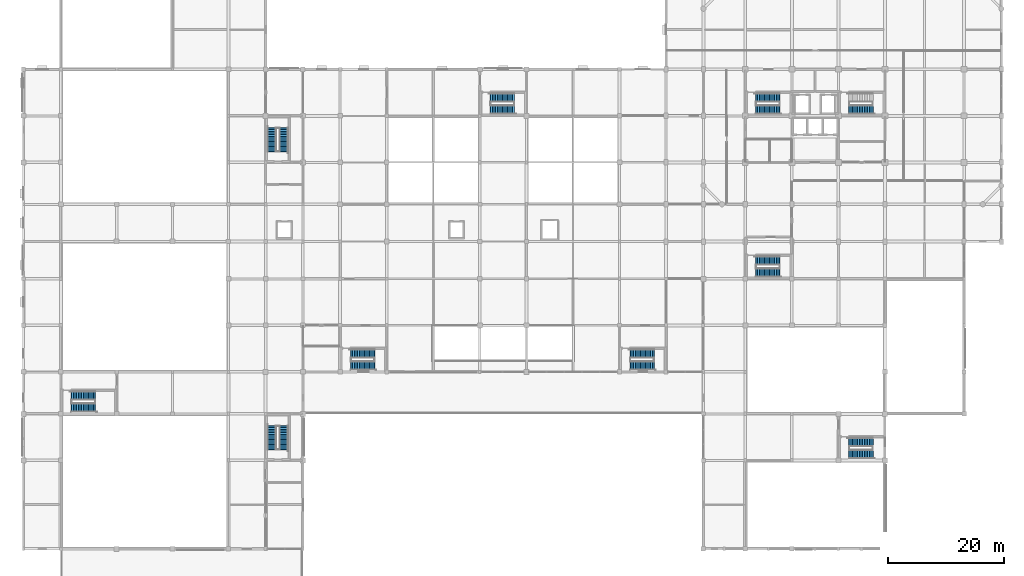
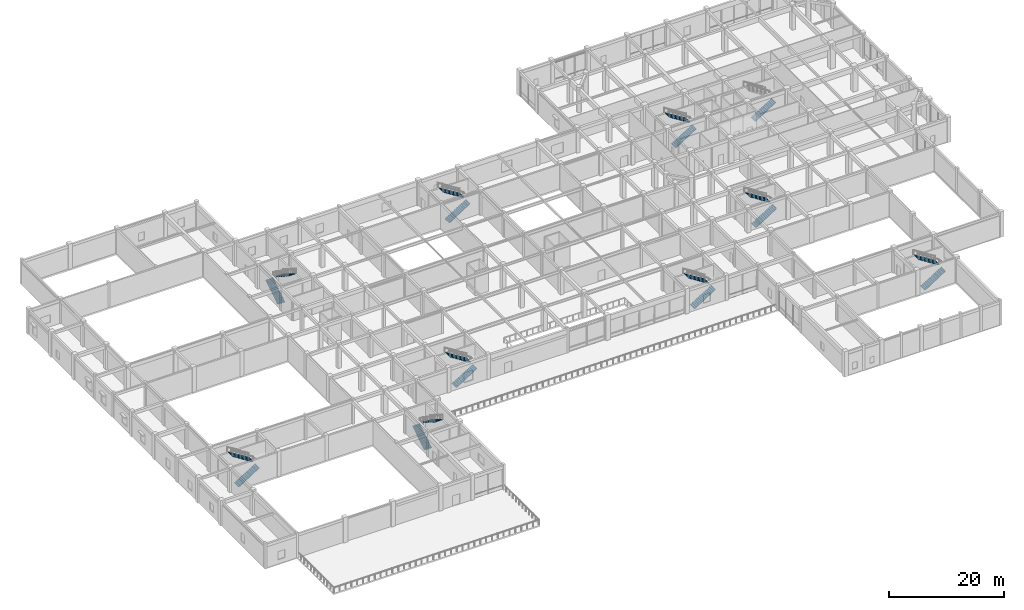
# One storey, part 31 of 36: 19 stair flights, 10 elements without a shape of their own.
"""IFC4 building model written with IfcOpenShell, lengths in metres."""

from ifc_helpers import new_model, si_unit, direction, frame, origin, place, context, subcontext, project, spatial, polyline, outline, extrude, material, type_object, element, aggregate, save


model = new_model("IFC4")

# Units and contexts
model_context = context("Model", 3, precision=1e-05, world=origin(), true_north=direction((0.0, 1.0)))
body_context = subcontext(model_context, "Body", "Model", "MODEL_VIEW")
ifc_project = project(units=[si_unit("LENGTHUNIT", "METRE"), si_unit("AREAUNIT", "SQUARE_METRE"), si_unit("VOLUMEUNIT", "CUBIC_METRE"), si_unit("PLANEANGLEUNIT", "RADIAN"), si_unit("MASSUNIT", "GRAM", prefix="KILO")], contexts=[model_context])

# Site, building, storey
site_placement = place(None, origin())
site = spatial("IfcSite", under=ifc_project, at=site_placement, CompositionType="ELEMENT")
building_placement = place(site_placement, origin())
building = spatial("IfcBuilding", under=site, at=building_placement, Name="Vellmiral Cinema and Media Centre", CompositionType="ELEMENT")
storey_placement = place(building_placement, frame((0.0, 0.0, 5.39990234375)))
storey = spatial("IfcBuildingStorey", under=building, at=storey_placement, Name="L01", CompositionType="ELEMENT", Elevation=5.39990234375)

# Stair, stair flights
ifc_material_1 = material(Name="Concrete C40/50", Category="concrete")
stair_type = type_object("IfcStairType", Name="ST-2RET-540", PredefinedType="HALF_TURN_STAIR", material=ifc_material_1)
stair_1_placement = place(storey_placement, origin())
stair_1 = element("IfcStair", 1, at=stair_1_placement, inside=storey, type_object=stair_type, Name="Protected Escape Stair ST-P1 (L01)", PredefinedType="HALF_TURN_STAIR")
ifc_material_2 = material(Name="Concrete C40/50", Category="concrete")
stair_flight_type = type_object("IfcStairFlightType", Name="STF-STR-540", PredefinedType="STRAIGHT", material=ifc_material_2)
stair_flight_1_placement = place(storey_placement, frame((42.64990234375, 29.85009765625, 0.0), z_axis=(0.0, 0.0, 1.0), x_axis=(0.0, 1.0, 0.0)))
stair_flight_1 = element("IfcStairFlight", 2, at=stair_flight_1_placement, type_object=stair_flight_type, Name="ST-P1 flight 1", NumberOfRisers=15, NumberOfTreads=14, PredefinedType="STRAIGHT", RiserHeight=0.18, TreadLength=0.29, context=body_context, shape_type="SweptSolid", body=[
    extrude(outline(polyline([(-0.080078125, 0.0), (-0.080078125, 0.10009765625), (0.0, 0.179931640625), (0.2900390625, 0.179931640625), (0.2900390625, 0.360107421875), (0.580078125, 0.360107421875), (0.580078125, 0.5400390625), (0.8701171875, 0.5400390625), (0.8701171875, 0.719970703125), (1.159912109375, 0.719970703125), (1.159912109375, 0.89990234375), (1.449951171875, 0.89990234375), (1.449951171875, 1.080078125), (1.739990234375, 1.080078125), (1.739990234375, 1.260009765625), (2.030029296875, 1.260009765625), (2.030029296875, 1.43994140625), (2.320068359375, 1.43994140625), (2.320068359375, 1.6201171875), (2.610107421875, 1.6201171875), (2.610107421875, 1.800048828125), (2.89990234375, 1.800048828125), (2.89990234375, 1.97998046875), (3.18994140625, 1.97998046875), (3.18994140625, 2.159912109375), (3.47998046875, 2.159912109375), (3.47998046875, 2.340087890625), (3.77001953125, 2.340087890625), (3.77001953125, 2.52001953125), (4.06005859375, 2.52001953125), (4.06005859375, 2.699951171875), (4.14013671875, 2.699951171875), (4.14013671875, 2.5400390625), (0.179931640625, 0.0), (-0.080078125, 0.0)])), frame((0.0, 0.75, 0.0), z_axis=(0.0, -1.0, 0.0), x_axis=(1.0, 0.0, 0.0)), (0.0, 0.0, 1.0), 1.5),
])
stair_flight_2_placement = place(storey_placement, frame((44.75, 33.909912109375, 2.7001953125), z_axis=(0.0, 0.0, 1.0), x_axis=(0.0, -1.0, 0.0)))
stair_flight_2 = element("IfcStairFlight", 3, at=stair_flight_2_placement, type_object=stair_flight_type, Name="ST-P1 flight 2", NumberOfRisers=15, NumberOfTreads=14, PredefinedType="STRAIGHT", RiserHeight=0.18, TreadLength=0.29, context=body_context, shape_type="SweptSolid", body=[
    extrude(outline(polyline([(-0.080078125, 0.0), (-0.080078125, 0.10009765625), (0.0, 0.179931640625), (0.2900390625, 0.179931640625), (0.2900390625, 0.360107421875), (0.580078125, 0.360107421875), (0.580078125, 0.5400390625), (0.8701171875, 0.5400390625), (0.8701171875, 0.719970703125), (1.159912109375, 0.719970703125), (1.159912109375, 0.89990234375), (1.449951171875, 0.89990234375), (1.449951171875, 1.080078125), (1.739990234375, 1.080078125), (1.739990234375, 1.260009765625), (2.030029296875, 1.260009765625), (2.030029296875, 1.43994140625), (2.320068359375, 1.43994140625), (2.320068359375, 1.6201171875), (2.610107421875, 1.6201171875), (2.610107421875, 1.800048828125), (2.89990234375, 1.800048828125), (2.89990234375, 1.97998046875), (3.18994140625, 1.97998046875), (3.18994140625, 2.159912109375), (3.47998046875, 2.159912109375), (3.47998046875, 2.340087890625), (3.77001953125, 2.340087890625), (3.77001953125, 2.52001953125), (4.06005859375, 2.52001953125), (4.06005859375, 2.699951171875), (4.14013671875, 2.699951171875), (4.14013671875, 2.5400390625), (0.179931640625, 0.0), (-0.080078125, 0.0)])), frame((0.0, 0.75, 0.0), z_axis=(0.0, -1.0, 0.0), x_axis=(1.0, 0.0, 0.0)), (0.0, 0.0, 1.0), 1.5),
])
aggregate(stair_1, [stair_flight_1, stair_flight_2])

stair_2_placement = place(storey_placement, origin())
stair_2 = element("IfcStair", 4, at=stair_2_placement, inside=storey, type_object=stair_type, Name="Protected Escape Stair ST-P2 (L01)", PredefinedType="HALF_TURN_STAIR")
stair_flight_3_placement = place(storey_placement, frame((42.64990234375, 81.050048828125, 0.0), z_axis=(0.0, 0.0, 1.0), x_axis=(0.0, 1.0, 0.0)))
stair_flight_3 = element("IfcStairFlight", 5, at=stair_flight_3_placement, type_object=stair_flight_type, Name="ST-P2 flight 1", NumberOfRisers=15, NumberOfTreads=14, PredefinedType="STRAIGHT", RiserHeight=0.18, TreadLength=0.29, context=body_context, shape_type="SweptSolid", body=[
    extrude(outline(polyline([(-0.080078125, 0.0), (-0.080078125, 0.10009765625), (0.0, 0.179931640625), (0.2900390625, 0.179931640625), (0.2900390625, 0.360107421875), (0.580078125, 0.360107421875), (0.580078125, 0.5400390625), (0.8701171875, 0.5400390625), (0.8701171875, 0.719970703125), (1.159912109375, 0.719970703125), (1.159912109375, 0.89990234375), (1.449951171875, 0.89990234375), (1.449951171875, 1.080078125), (1.739990234375, 1.080078125), (1.739990234375, 1.260009765625), (2.030029296875, 1.260009765625), (2.030029296875, 1.43994140625), (2.320068359375, 1.43994140625), (2.320068359375, 1.6201171875), (2.610107421875, 1.6201171875), (2.610107421875, 1.800048828125), (2.89990234375, 1.800048828125), (2.89990234375, 1.97998046875), (3.18994140625, 1.97998046875), (3.18994140625, 2.159912109375), (3.47998046875, 2.159912109375), (3.47998046875, 2.340087890625), (3.77001953125, 2.340087890625), (3.77001953125, 2.52001953125), (4.06005859375, 2.52001953125), (4.06005859375, 2.699951171875), (4.14013671875, 2.699951171875), (4.14013671875, 2.5400390625), (0.179931640625, 0.0), (-0.080078125, 0.0)])), frame((0.0, 0.75, 0.0), z_axis=(0.0, -1.0, 0.0), x_axis=(1.0, 0.0, 0.0)), (0.0, 0.0, 1.0), 1.5),
])
stair_flight_4_placement = place(storey_placement, frame((44.75, 85.110107421875, 2.7001953125), z_axis=(0.0, 0.0, 1.0), x_axis=(0.0, -1.0, 0.0)))
stair_flight_4 = element("IfcStairFlight", 6, at=stair_flight_4_placement, type_object=stair_flight_type, Name="ST-P2 flight 2", NumberOfRisers=15, NumberOfTreads=14, PredefinedType="STRAIGHT", RiserHeight=0.18, TreadLength=0.29, context=body_context, shape_type="SweptSolid", body=[
    extrude(outline(polyline([(-0.080078125, 0.0), (-0.080078125, 0.10009765625), (0.0, 0.179931640625), (0.2900390625, 0.179931640625), (0.2900390625, 0.360107421875), (0.580078125, 0.360107421875), (0.580078125, 0.5400390625), (0.8701171875, 0.5400390625), (0.8701171875, 0.719970703125), (1.159912109375, 0.719970703125), (1.159912109375, 0.89990234375), (1.449951171875, 0.89990234375), (1.449951171875, 1.080078125), (1.739990234375, 1.080078125), (1.739990234375, 1.260009765625), (2.030029296875, 1.260009765625), (2.030029296875, 1.43994140625), (2.320068359375, 1.43994140625), (2.320068359375, 1.6201171875), (2.610107421875, 1.6201171875), (2.610107421875, 1.800048828125), (2.89990234375, 1.800048828125), (2.89990234375, 1.97998046875), (3.18994140625, 1.97998046875), (3.18994140625, 2.159912109375), (3.47998046875, 2.159912109375), (3.47998046875, 2.340087890625), (3.77001953125, 2.340087890625), (3.77001953125, 2.52001953125), (4.06005859375, 2.52001953125), (4.06005859375, 2.699951171875), (4.14013671875, 2.699951171875), (4.14013671875, 2.5400390625), (0.179931640625, 0.0), (-0.080078125, 0.0)])), frame((0.0, 0.75, 0.0), z_axis=(0.0, -1.0, 0.0), x_axis=(1.0, 0.0, 0.0)), (0.0, 0.0, 1.0), 1.5),
])
aggregate(stair_2, [stair_flight_3, stair_flight_4])

stair_3_placement = place(storey_placement, origin())
stair_3 = element("IfcStair", 7, at=stair_3_placement, inside=storey, type_object=stair_type, Name="Protected Escape Stair ST-P3 (L01)", PredefinedType="HALF_TURN_STAIR")
stair_flight_5_placement = place(storey_placement, frame((56.25, 44.25, 0.0), z_axis=(0.0, 0.0, 1.0), x_axis=(1.0, 0.0, 0.0)))
stair_flight_5 = element("IfcStairFlight", 8, at=stair_flight_5_placement, type_object=stair_flight_type, Name="ST-P3 flight 1", NumberOfRisers=15, NumberOfTreads=14, PredefinedType="STRAIGHT", RiserHeight=0.18, TreadLength=0.29, context=body_context, shape_type="SweptSolid", body=[
    extrude(outline(polyline([(-0.080078125, 0.0), (-0.080078125, 0.10009765625), (0.0, 0.179931640625), (0.2900390625, 0.179931640625), (0.2900390625, 0.360107421875), (0.580078125, 0.360107421875), (0.580078125, 0.5400390625), (0.8701171875, 0.5400390625), (0.8701171875, 0.719970703125), (1.159912109375, 0.719970703125), (1.159912109375, 0.89990234375), (1.449951171875, 0.89990234375), (1.449951171875, 1.080078125), (1.739990234375, 1.080078125), (1.739990234375, 1.260009765625), (2.030029296875, 1.260009765625), (2.030029296875, 1.43994140625), (2.320068359375, 1.43994140625), (2.320068359375, 1.6201171875), (2.610107421875, 1.6201171875), (2.610107421875, 1.800048828125), (2.89990234375, 1.800048828125), (2.89990234375, 1.97998046875), (3.18994140625, 1.97998046875), (3.18994140625, 2.159912109375), (3.47998046875, 2.159912109375), (3.47998046875, 2.340087890625), (3.77001953125, 2.340087890625), (3.77001953125, 2.52001953125), (4.06005859375, 2.52001953125), (4.06005859375, 2.699951171875), (4.14013671875, 2.699951171875), (4.14013671875, 2.5400390625), (0.179931640625, 0.0), (-0.080078125, 0.0)])), frame((0.0, 0.75, 0.0), z_axis=(0.0, -1.0, 0.0), x_axis=(1.0, 0.0, 0.0)), (0.0, 0.0, 1.0), 1.5),
])
stair_flight_6_placement = place(storey_placement, frame((60.31005859375, 46.35009765625, 2.7001953125), z_axis=(0.0, 0.0, 1.0), x_axis=(-1.0, 0.0, 0.0)))
stair_flight_6 = element("IfcStairFlight", 9, at=stair_flight_6_placement, type_object=stair_flight_type, Name="ST-P3 flight 2", NumberOfRisers=15, NumberOfTreads=14, PredefinedType="STRAIGHT", RiserHeight=0.18, TreadLength=0.29, context=body_context, shape_type="SweptSolid", body=[
    extrude(outline(polyline([(-0.080078125, 0.0), (-0.080078125, 0.10009765625), (0.0, 0.179931640625), (0.2900390625, 0.179931640625), (0.2900390625, 0.360107421875), (0.580078125, 0.360107421875), (0.580078125, 0.5400390625), (0.8701171875, 0.5400390625), (0.8701171875, 0.719970703125), (1.159912109375, 0.719970703125), (1.159912109375, 0.89990234375), (1.449951171875, 0.89990234375), (1.449951171875, 1.080078125), (1.739990234375, 1.080078125), (1.739990234375, 1.260009765625), (2.030029296875, 1.260009765625), (2.030029296875, 1.43994140625), (2.320068359375, 1.43994140625), (2.320068359375, 1.6201171875), (2.610107421875, 1.6201171875), (2.610107421875, 1.800048828125), (2.89990234375, 1.800048828125), (2.89990234375, 1.97998046875), (3.18994140625, 1.97998046875), (3.18994140625, 2.159912109375), (3.47998046875, 2.159912109375), (3.47998046875, 2.340087890625), (3.77001953125, 2.340087890625), (3.77001953125, 2.52001953125), (4.06005859375, 2.52001953125), (4.06005859375, 2.699951171875), (4.14013671875, 2.699951171875), (4.14013671875, 2.5400390625), (0.179931640625, 0.0), (-0.080078125, 0.0)])), frame((0.0, 0.75, 0.0), z_axis=(0.0, -1.0, 0.0), x_axis=(1.0, 0.0, 0.0)), (0.0, 0.0, 1.0), 1.5),
])
aggregate(stair_3, [stair_flight_5, stair_flight_6])

stair_4_placement = place(storey_placement, origin())
stair_4 = element("IfcStair", 10, at=stair_4_placement, inside=storey, type_object=stair_type, Name="Protected Escape Stair ST-P4 (L01)", PredefinedType="HALF_TURN_STAIR")
stair_flight_7_placement = place(storey_placement, frame((104.25, 44.25, 0.0), z_axis=(0.0, 0.0, 1.0), x_axis=(1.0, 0.0, 0.0)))
stair_flight_7 = element("IfcStairFlight", 11, at=stair_flight_7_placement, type_object=stair_flight_type, Name="ST-P4 flight 1", NumberOfRisers=15, NumberOfTreads=14, PredefinedType="STRAIGHT", RiserHeight=0.18, TreadLength=0.29, context=body_context, shape_type="SweptSolid", body=[
    extrude(outline(polyline([(-0.080078125, 0.0), (-0.080078125, 0.10009765625), (0.0, 0.179931640625), (0.2900390625, 0.179931640625), (0.2900390625, 0.360107421875), (0.580078125, 0.360107421875), (0.580078125, 0.5400390625), (0.8701171875, 0.5400390625), (0.8701171875, 0.719970703125), (1.159912109375, 0.719970703125), (1.159912109375, 0.89990234375), (1.449951171875, 0.89990234375), (1.449951171875, 1.080078125), (1.739990234375, 1.080078125), (1.739990234375, 1.260009765625), (2.030029296875, 1.260009765625), (2.030029296875, 1.43994140625), (2.320068359375, 1.43994140625), (2.320068359375, 1.6201171875), (2.610107421875, 1.6201171875), (2.610107421875, 1.800048828125), (2.89990234375, 1.800048828125), (2.89990234375, 1.97998046875), (3.18994140625, 1.97998046875), (3.18994140625, 2.159912109375), (3.47998046875, 2.159912109375), (3.47998046875, 2.340087890625), (3.77001953125, 2.340087890625), (3.77001953125, 2.52001953125), (4.06005859375, 2.52001953125), (4.06005859375, 2.699951171875), (4.14013671875, 2.699951171875), (4.14013671875, 2.5400390625), (0.179931640625, 0.0), (-0.080078125, 0.0)])), frame((0.0, 0.75, 0.0), z_axis=(0.0, -1.0, 0.0), x_axis=(1.0, 0.0, 0.0)), (0.0, 0.0, 1.0), 1.5),
])
stair_flight_8_placement = place(storey_placement, frame((108.31005859375, 46.35009765625, 2.7001953125), z_axis=(0.0, 0.0, 1.0), x_axis=(-1.0, 0.0, 0.0)))
stair_flight_8 = element("IfcStairFlight", 12, at=stair_flight_8_placement, type_object=stair_flight_type, Name="ST-P4 flight 2", NumberOfRisers=15, NumberOfTreads=14, PredefinedType="STRAIGHT", RiserHeight=0.18, TreadLength=0.29, context=body_context, shape_type="SweptSolid", body=[
    extrude(outline(polyline([(-0.080078125, 0.0), (-0.080078125, 0.10009765625), (0.0, 0.179931640625), (0.2900390625, 0.179931640625), (0.2900390625, 0.360107421875), (0.580078125, 0.360107421875), (0.580078125, 0.5400390625), (0.8701171875, 0.5400390625), (0.8701171875, 0.719970703125), (1.159912109375, 0.719970703125), (1.159912109375, 0.89990234375), (1.449951171875, 0.89990234375), (1.449951171875, 1.080078125), (1.739990234375, 1.080078125), (1.739990234375, 1.260009765625), (2.030029296875, 1.260009765625), (2.030029296875, 1.43994140625), (2.320068359375, 1.43994140625), (2.320068359375, 1.6201171875), (2.610107421875, 1.6201171875), (2.610107421875, 1.800048828125), (2.89990234375, 1.800048828125), (2.89990234375, 1.97998046875), (3.18994140625, 1.97998046875), (3.18994140625, 2.159912109375), (3.47998046875, 2.159912109375), (3.47998046875, 2.340087890625), (3.77001953125, 2.340087890625), (3.77001953125, 2.52001953125), (4.06005859375, 2.52001953125), (4.06005859375, 2.699951171875), (4.14013671875, 2.699951171875), (4.14013671875, 2.5400390625), (0.179931640625, 0.0), (-0.080078125, 0.0)])), frame((0.0, 0.75, 0.0), z_axis=(0.0, -1.0, 0.0), x_axis=(1.0, 0.0, 0.0)), (0.0, 0.0, 1.0), 1.5),
])
aggregate(stair_4, [stair_flight_7, stair_flight_8])

stair_5_placement = place(storey_placement, origin())
stair_5 = element("IfcStair", 13, at=stair_5_placement, inside=storey, type_object=stair_type, Name="Protected Escape Stair ST-P5 (L01)", PredefinedType="HALF_TURN_STAIR")
stair_flight_9_placement = place(storey_placement, frame((80.25, 88.25, 0.0), z_axis=(0.0, 0.0, 1.0), x_axis=(1.0, 0.0, 0.0)))
stair_flight_9 = element("IfcStairFlight", 14, at=stair_flight_9_placement, type_object=stair_flight_type, Name="ST-P5 flight 1", NumberOfRisers=15, NumberOfTreads=14, PredefinedType="STRAIGHT", RiserHeight=0.18, TreadLength=0.29, context=body_context, shape_type="SweptSolid", body=[
    extrude(outline(polyline([(-0.080078125, 0.0), (-0.080078125, 0.10009765625), (0.0, 0.179931640625), (0.2900390625, 0.179931640625), (0.2900390625, 0.360107421875), (0.580078125, 0.360107421875), (0.580078125, 0.5400390625), (0.8701171875, 0.5400390625), (0.8701171875, 0.719970703125), (1.159912109375, 0.719970703125), (1.159912109375, 0.89990234375), (1.449951171875, 0.89990234375), (1.449951171875, 1.080078125), (1.739990234375, 1.080078125), (1.739990234375, 1.260009765625), (2.030029296875, 1.260009765625), (2.030029296875, 1.43994140625), (2.320068359375, 1.43994140625), (2.320068359375, 1.6201171875), (2.610107421875, 1.6201171875), (2.610107421875, 1.800048828125), (2.89990234375, 1.800048828125), (2.89990234375, 1.97998046875), (3.18994140625, 1.97998046875), (3.18994140625, 2.159912109375), (3.47998046875, 2.159912109375), (3.47998046875, 2.340087890625), (3.77001953125, 2.340087890625), (3.77001953125, 2.52001953125), (4.06005859375, 2.52001953125), (4.06005859375, 2.699951171875), (4.14013671875, 2.699951171875), (4.14013671875, 2.5400390625), (0.179931640625, 0.0), (-0.080078125, 0.0)])), frame((0.0, 0.75, 0.0), z_axis=(0.0, -1.0, 0.0), x_axis=(1.0, 0.0, 0.0)), (0.0, 0.0, 1.0), 1.5),
])
stair_flight_10_placement = place(storey_placement, frame((84.31005859375, 90.35009765625, 2.7001953125), z_axis=(0.0, 0.0, 1.0), x_axis=(-1.0, 0.0, 0.0)))
stair_flight_10 = element("IfcStairFlight", 15, at=stair_flight_10_placement, type_object=stair_flight_type, Name="ST-P5 flight 2", NumberOfRisers=15, NumberOfTreads=14, PredefinedType="STRAIGHT", RiserHeight=0.18, TreadLength=0.29, context=body_context, shape_type="SweptSolid", body=[
    extrude(outline(polyline([(-0.080078125, 0.0), (-0.080078125, 0.10009765625), (0.0, 0.179931640625), (0.2900390625, 0.179931640625), (0.2900390625, 0.360107421875), (0.580078125, 0.360107421875), (0.580078125, 0.5400390625), (0.8701171875, 0.5400390625), (0.8701171875, 0.719970703125), (1.159912109375, 0.719970703125), (1.159912109375, 0.89990234375), (1.449951171875, 0.89990234375), (1.449951171875, 1.080078125), (1.739990234375, 1.080078125), (1.739990234375, 1.260009765625), (2.030029296875, 1.260009765625), (2.030029296875, 1.43994140625), (2.320068359375, 1.43994140625), (2.320068359375, 1.6201171875), (2.610107421875, 1.6201171875), (2.610107421875, 1.800048828125), (2.89990234375, 1.800048828125), (2.89990234375, 1.97998046875), (3.18994140625, 1.97998046875), (3.18994140625, 2.159912109375), (3.47998046875, 2.159912109375), (3.47998046875, 2.340087890625), (3.77001953125, 2.340087890625), (3.77001953125, 2.52001953125), (4.06005859375, 2.52001953125), (4.06005859375, 2.699951171875), (4.14013671875, 2.699951171875), (4.14013671875, 2.5400390625), (0.179931640625, 0.0), (-0.080078125, 0.0)])), frame((0.0, 0.75, 0.0), z_axis=(0.0, -1.0, 0.0), x_axis=(1.0, 0.0, 0.0)), (0.0, 0.0, 1.0), 1.5),
])
aggregate(stair_5, [stair_flight_9, stair_flight_10])

stair_6_placement = place(storey_placement, origin())
stair_6 = element("IfcStair", 16, at=stair_6_placement, inside=storey, type_object=stair_type, Name="Protected Escape Stair ST-P6 (L01)", PredefinedType="HALF_TURN_STAIR")
stair_flight_11_placement = place(storey_placement, frame((125.85009765625, 60.25, 0.0), z_axis=(0.0, 0.0, 1.0), x_axis=(1.0, 0.0, 0.0)))
stair_flight_11 = element("IfcStairFlight", 17, at=stair_flight_11_placement, type_object=stair_flight_type, Name="ST-P6 flight 1", NumberOfRisers=15, NumberOfTreads=14, PredefinedType="STRAIGHT", RiserHeight=0.18, TreadLength=0.29, context=body_context, shape_type="SweptSolid", body=[
    extrude(outline(polyline([(-0.080078125, 0.0), (-0.080078125, 0.10009765625), (0.0, 0.179931640625), (0.2900390625, 0.179931640625), (0.2900390625, 0.360107421875), (0.580078125, 0.360107421875), (0.580078125, 0.5400390625), (0.8701171875, 0.5400390625), (0.8701171875, 0.719970703125), (1.159912109375, 0.719970703125), (1.159912109375, 0.89990234375), (1.449951171875, 0.89990234375), (1.449951171875, 1.080078125), (1.739990234375, 1.080078125), (1.739990234375, 1.260009765625), (2.030029296875, 1.260009765625), (2.030029296875, 1.43994140625), (2.320068359375, 1.43994140625), (2.320068359375, 1.6201171875), (2.610107421875, 1.6201171875), (2.610107421875, 1.800048828125), (2.89990234375, 1.800048828125), (2.89990234375, 1.97998046875), (3.18994140625, 1.97998046875), (3.18994140625, 2.159912109375), (3.47998046875, 2.159912109375), (3.47998046875, 2.340087890625), (3.77001953125, 2.340087890625), (3.77001953125, 2.52001953125), (4.06005859375, 2.52001953125), (4.06005859375, 2.699951171875), (4.14013671875, 2.699951171875), (4.14013671875, 2.5400390625), (0.179931640625, 0.0), (-0.080078125, 0.0)])), frame((0.0, 0.75, 0.0), z_axis=(0.0, -1.0, 0.0), x_axis=(1.0, 0.0, 0.0)), (0.0, 0.0, 1.0), 1.5),
])
stair_flight_12_placement = place(storey_placement, frame((129.909912109375, 62.35009765625, 2.7001953125), z_axis=(0.0, 0.0, 1.0), x_axis=(-1.0, 0.0, 0.0)))
stair_flight_12 = element("IfcStairFlight", 18, at=stair_flight_12_placement, type_object=stair_flight_type, Name="ST-P6 flight 2", NumberOfRisers=15, NumberOfTreads=14, PredefinedType="STRAIGHT", RiserHeight=0.18, TreadLength=0.29, context=body_context, shape_type="SweptSolid", body=[
    extrude(outline(polyline([(-0.080078125, 0.0), (-0.080078125, 0.10009765625), (0.0, 0.179931640625), (0.2900390625, 0.179931640625), (0.2900390625, 0.360107421875), (0.580078125, 0.360107421875), (0.580078125, 0.5400390625), (0.8701171875, 0.5400390625), (0.8701171875, 0.719970703125), (1.159912109375, 0.719970703125), (1.159912109375, 0.89990234375), (1.449951171875, 0.89990234375), (1.449951171875, 1.080078125), (1.739990234375, 1.080078125), (1.739990234375, 1.260009765625), (2.030029296875, 1.260009765625), (2.030029296875, 1.43994140625), (2.320068359375, 1.43994140625), (2.320068359375, 1.6201171875), (2.610107421875, 1.6201171875), (2.610107421875, 1.800048828125), (2.89990234375, 1.800048828125), (2.89990234375, 1.97998046875), (3.18994140625, 1.97998046875), (3.18994140625, 2.159912109375), (3.47998046875, 2.159912109375), (3.47998046875, 2.340087890625), (3.77001953125, 2.340087890625), (3.77001953125, 2.52001953125), (4.06005859375, 2.52001953125), (4.06005859375, 2.699951171875), (4.14013671875, 2.699951171875), (4.14013671875, 2.5400390625), (0.179931640625, 0.0), (-0.080078125, 0.0)])), frame((0.0, 0.75, 0.0), z_axis=(0.0, -1.0, 0.0), x_axis=(1.0, 0.0, 0.0)), (0.0, 0.0, 1.0), 1.5),
])
aggregate(stair_6, [stair_flight_11, stair_flight_12])

stair_7_placement = place(storey_placement, origin())
stair_7 = element("IfcStair", 19, at=stair_7_placement, inside=storey, type_object=stair_type, Name="Protected Escape Stair ST-P7 (L01)", PredefinedType="HALF_TURN_STAIR")
stair_flight_13_placement = place(storey_placement, frame((8.25, 37.050048828125, 0.0), z_axis=(0.0, 0.0, 1.0), x_axis=(1.0, 0.0, 0.0)))
stair_flight_13 = element("IfcStairFlight", 20, at=stair_flight_13_placement, type_object=stair_flight_type, Name="ST-P7 flight 1", NumberOfRisers=15, NumberOfTreads=14, PredefinedType="STRAIGHT", RiserHeight=0.18, TreadLength=0.29, context=body_context, shape_type="SweptSolid", body=[
    extrude(outline(polyline([(-0.080078125, 0.0), (-0.080078125, 0.10009765625), (0.0, 0.179931640625), (0.2900390625, 0.179931640625), (0.2900390625, 0.360107421875), (0.580078125, 0.360107421875), (0.580078125, 0.5400390625), (0.8701171875, 0.5400390625), (0.8701171875, 0.719970703125), (1.159912109375, 0.719970703125), (1.159912109375, 0.89990234375), (1.449951171875, 0.89990234375), (1.449951171875, 1.080078125), (1.739990234375, 1.080078125), (1.739990234375, 1.260009765625), (2.030029296875, 1.260009765625), (2.030029296875, 1.43994140625), (2.320068359375, 1.43994140625), (2.320068359375, 1.6201171875), (2.610107421875, 1.6201171875), (2.610107421875, 1.800048828125), (2.89990234375, 1.800048828125), (2.89990234375, 1.97998046875), (3.18994140625, 1.97998046875), (3.18994140625, 2.159912109375), (3.47998046875, 2.159912109375), (3.47998046875, 2.340087890625), (3.77001953125, 2.340087890625), (3.77001953125, 2.52001953125), (4.06005859375, 2.52001953125), (4.06005859375, 2.699951171875), (4.14013671875, 2.699951171875), (4.14013671875, 2.5400390625), (0.179931640625, 0.0), (-0.080078125, 0.0)])), frame((0.0, 0.75, 0.0), z_axis=(0.0, -1.0, 0.0), x_axis=(1.0, 0.0, 0.0)), (0.0, 0.0, 1.0), 1.5),
])
stair_flight_14_placement = place(storey_placement, frame((12.31005859375, 39.14990234375, 2.7001953125), z_axis=(0.0, 0.0, 1.0), x_axis=(-1.0, 0.0, 0.0)))
stair_flight_14 = element("IfcStairFlight", 21, at=stair_flight_14_placement, type_object=stair_flight_type, Name="ST-P7 flight 2", NumberOfRisers=15, NumberOfTreads=14, PredefinedType="STRAIGHT", RiserHeight=0.18, TreadLength=0.29, context=body_context, shape_type="SweptSolid", body=[
    extrude(outline(polyline([(-0.080078125, 0.0), (-0.080078125, 0.10009765625), (0.0, 0.179931640625), (0.2900390625, 0.179931640625), (0.2900390625, 0.360107421875), (0.580078125, 0.360107421875), (0.580078125, 0.5400390625), (0.8701171875, 0.5400390625), (0.8701171875, 0.719970703125), (1.159912109375, 0.719970703125), (1.159912109375, 0.89990234375), (1.449951171875, 0.89990234375), (1.449951171875, 1.080078125), (1.739990234375, 1.080078125), (1.739990234375, 1.260009765625), (2.030029296875, 1.260009765625), (2.030029296875, 1.43994140625), (2.320068359375, 1.43994140625), (2.320068359375, 1.6201171875), (2.610107421875, 1.6201171875), (2.610107421875, 1.800048828125), (2.89990234375, 1.800048828125), (2.89990234375, 1.97998046875), (3.18994140625, 1.97998046875), (3.18994140625, 2.159912109375), (3.47998046875, 2.159912109375), (3.47998046875, 2.340087890625), (3.77001953125, 2.340087890625), (3.77001953125, 2.52001953125), (4.06005859375, 2.52001953125), (4.06005859375, 2.699951171875), (4.14013671875, 2.699951171875), (4.14013671875, 2.5400390625), (0.179931640625, 0.0), (-0.080078125, 0.0)])), frame((0.0, 0.75, 0.0), z_axis=(0.0, -1.0, 0.0), x_axis=(1.0, 0.0, 0.0)), (0.0, 0.0, 1.0), 1.5),
])
aggregate(stair_7, [stair_flight_13, stair_flight_14])

stair_8_placement = place(storey_placement, origin())
stair_8 = element("IfcStair", 22, at=stair_8_placement, inside=storey, type_object=stair_type, Name="Protected Escape Stair ST-P8 (L01)", PredefinedType="HALF_TURN_STAIR")
stair_flight_15_placement = place(storey_placement, frame((141.85009765625, 29.050048828125, 0.0), z_axis=(0.0, 0.0, 1.0), x_axis=(1.0, 0.0, 0.0)))
stair_flight_15 = element("IfcStairFlight", 23, at=stair_flight_15_placement, type_object=stair_flight_type, Name="ST-P8 flight 1", NumberOfRisers=15, NumberOfTreads=14, PredefinedType="STRAIGHT", RiserHeight=0.18, TreadLength=0.29, context=body_context, shape_type="SweptSolid", body=[
    extrude(outline(polyline([(-0.080078125, 0.0), (-0.080078125, 0.10009765625), (0.0, 0.179931640625), (0.2900390625, 0.179931640625), (0.2900390625, 0.360107421875), (0.580078125, 0.360107421875), (0.580078125, 0.5400390625), (0.8701171875, 0.5400390625), (0.8701171875, 0.719970703125), (1.159912109375, 0.719970703125), (1.159912109375, 0.89990234375), (1.449951171875, 0.89990234375), (1.449951171875, 1.080078125), (1.739990234375, 1.080078125), (1.739990234375, 1.260009765625), (2.030029296875, 1.260009765625), (2.030029296875, 1.43994140625), (2.320068359375, 1.43994140625), (2.320068359375, 1.6201171875), (2.610107421875, 1.6201171875), (2.610107421875, 1.800048828125), (2.89990234375, 1.800048828125), (2.89990234375, 1.97998046875), (3.18994140625, 1.97998046875), (3.18994140625, 2.159912109375), (3.47998046875, 2.159912109375), (3.47998046875, 2.340087890625), (3.77001953125, 2.340087890625), (3.77001953125, 2.52001953125), (4.06005859375, 2.52001953125), (4.06005859375, 2.699951171875), (4.14013671875, 2.699951171875), (4.14013671875, 2.5400390625), (0.179931640625, 0.0), (-0.080078125, 0.0)])), frame((0.0, 0.75, 0.0), z_axis=(0.0, -1.0, 0.0), x_axis=(1.0, 0.0, 0.0)), (0.0, 0.0, 1.0), 1.5),
])
stair_flight_16_placement = place(storey_placement, frame((145.909912109375, 31.14990234375, 2.7001953125), z_axis=(0.0, 0.0, 1.0), x_axis=(-1.0, 0.0, 0.0)))
stair_flight_16 = element("IfcStairFlight", 24, at=stair_flight_16_placement, type_object=stair_flight_type, Name="ST-P8 flight 2", NumberOfRisers=15, NumberOfTreads=14, PredefinedType="STRAIGHT", RiserHeight=0.18, TreadLength=0.29, context=body_context, shape_type="SweptSolid", body=[
    extrude(outline(polyline([(-0.080078125, 0.0), (-0.080078125, 0.10009765625), (0.0, 0.179931640625), (0.2900390625, 0.179931640625), (0.2900390625, 0.360107421875), (0.580078125, 0.360107421875), (0.580078125, 0.5400390625), (0.8701171875, 0.5400390625), (0.8701171875, 0.719970703125), (1.159912109375, 0.719970703125), (1.159912109375, 0.89990234375), (1.449951171875, 0.89990234375), (1.449951171875, 1.080078125), (1.739990234375, 1.080078125), (1.739990234375, 1.260009765625), (2.030029296875, 1.260009765625), (2.030029296875, 1.43994140625), (2.320068359375, 1.43994140625), (2.320068359375, 1.6201171875), (2.610107421875, 1.6201171875), (2.610107421875, 1.800048828125), (2.89990234375, 1.800048828125), (2.89990234375, 1.97998046875), (3.18994140625, 1.97998046875), (3.18994140625, 2.159912109375), (3.47998046875, 2.159912109375), (3.47998046875, 2.340087890625), (3.77001953125, 2.340087890625), (3.77001953125, 2.52001953125), (4.06005859375, 2.52001953125), (4.06005859375, 2.699951171875), (4.14013671875, 2.699951171875), (4.14013671875, 2.5400390625), (0.179931640625, 0.0), (-0.080078125, 0.0)])), frame((0.0, 0.75, 0.0), z_axis=(0.0, -1.0, 0.0), x_axis=(1.0, 0.0, 0.0)), (0.0, 0.0, 1.0), 1.5),
])
aggregate(stair_8, [stair_flight_15, stair_flight_16])

stair_9_placement = place(storey_placement, origin())
stair_9 = element("IfcStair", 25, at=stair_9_placement, inside=storey, type_object=stair_type, Name="Protected Escape Stair ST-T1 (L01)", PredefinedType="HALF_TURN_STAIR")
stair_flight_17_placement = place(storey_placement, frame((125.85009765625, 88.25, 0.0), z_axis=(0.0, 0.0, 1.0), x_axis=(1.0, 0.0, 0.0)))
stair_flight_17 = element("IfcStairFlight", 26, at=stair_flight_17_placement, type_object=stair_flight_type, Name="ST-T1 flight 1", NumberOfRisers=15, NumberOfTreads=14, PredefinedType="STRAIGHT", RiserHeight=0.18, TreadLength=0.29, context=body_context, shape_type="SweptSolid", body=[
    extrude(outline(polyline([(-0.080078125, 0.0), (-0.080078125, 0.10009765625), (0.0, 0.179931640625), (0.2900390625, 0.179931640625), (0.2900390625, 0.360107421875), (0.580078125, 0.360107421875), (0.580078125, 0.5400390625), (0.8701171875, 0.5400390625), (0.8701171875, 0.719970703125), (1.159912109375, 0.719970703125), (1.159912109375, 0.89990234375), (1.449951171875, 0.89990234375), (1.449951171875, 1.080078125), (1.739990234375, 1.080078125), (1.739990234375, 1.260009765625), (2.030029296875, 1.260009765625), (2.030029296875, 1.43994140625), (2.320068359375, 1.43994140625), (2.320068359375, 1.6201171875), (2.610107421875, 1.6201171875), (2.610107421875, 1.800048828125), (2.89990234375, 1.800048828125), (2.89990234375, 1.97998046875), (3.18994140625, 1.97998046875), (3.18994140625, 2.159912109375), (3.47998046875, 2.159912109375), (3.47998046875, 2.340087890625), (3.77001953125, 2.340087890625), (3.77001953125, 2.52001953125), (4.06005859375, 2.52001953125), (4.06005859375, 2.699951171875), (4.14013671875, 2.699951171875), (4.14013671875, 2.5400390625), (0.179931640625, 0.0), (-0.080078125, 0.0)])), frame((0.0, 0.75, 0.0), z_axis=(0.0, -1.0, 0.0), x_axis=(1.0, 0.0, 0.0)), (0.0, 0.0, 1.0), 1.5),
])
stair_flight_18_placement = place(storey_placement, frame((129.909912109375, 90.35009765625, 2.7001953125), z_axis=(0.0, 0.0, 1.0), x_axis=(-1.0, 0.0, 0.0)))
stair_flight_18 = element("IfcStairFlight", 27, at=stair_flight_18_placement, type_object=stair_flight_type, Name="ST-T1 flight 2", NumberOfRisers=15, NumberOfTreads=14, PredefinedType="STRAIGHT", RiserHeight=0.18, TreadLength=0.29, context=body_context, shape_type="SweptSolid", body=[
    extrude(outline(polyline([(-0.080078125, 0.0), (-0.080078125, 0.10009765625), (0.0, 0.179931640625), (0.2900390625, 0.179931640625), (0.2900390625, 0.360107421875), (0.580078125, 0.360107421875), (0.580078125, 0.5400390625), (0.8701171875, 0.5400390625), (0.8701171875, 0.719970703125), (1.159912109375, 0.719970703125), (1.159912109375, 0.89990234375), (1.449951171875, 0.89990234375), (1.449951171875, 1.080078125), (1.739990234375, 1.080078125), (1.739990234375, 1.260009765625), (2.030029296875, 1.260009765625), (2.030029296875, 1.43994140625), (2.320068359375, 1.43994140625), (2.320068359375, 1.6201171875), (2.610107421875, 1.6201171875), (2.610107421875, 1.800048828125), (2.89990234375, 1.800048828125), (2.89990234375, 1.97998046875), (3.18994140625, 1.97998046875), (3.18994140625, 2.159912109375), (3.47998046875, 2.159912109375), (3.47998046875, 2.340087890625), (3.77001953125, 2.340087890625), (3.77001953125, 2.52001953125), (4.06005859375, 2.52001953125), (4.06005859375, 2.699951171875), (4.14013671875, 2.699951171875), (4.14013671875, 2.5400390625), (0.179931640625, 0.0), (-0.080078125, 0.0)])), frame((0.0, 0.75, 0.0), z_axis=(0.0, -1.0, 0.0), x_axis=(1.0, 0.0, 0.0)), (0.0, 0.0, 1.0), 1.5),
])
aggregate(stair_9, [stair_flight_17, stair_flight_18])

# Stair, stair flight
stair_10_placement = place(storey_placement, origin())
stair_10 = element("IfcStair", 28, at=stair_10_placement, inside=storey, type_object=stair_type, Name="Protected Escape Stair ST-T2 (L01)", PredefinedType="HALF_TURN_STAIR")
stair_flight_19_placement = place(storey_placement, frame((141.85009765625, 88.25, 0.0), z_axis=(0.0, 0.0, 1.0), x_axis=(1.0, 0.0, 0.0)))
stair_flight_19 = element("IfcStairFlight", 29, at=stair_flight_19_placement, type_object=stair_flight_type, Name="ST-T2 flight 1", NumberOfRisers=15, NumberOfTreads=14, PredefinedType="STRAIGHT", RiserHeight=0.18, TreadLength=0.29, context=body_context, shape_type="SweptSolid", body=[
    extrude(outline(polyline([(-0.080078125, 0.0), (-0.080078125, 0.10009765625), (0.0, 0.179931640625), (0.2900390625, 0.179931640625), (0.2900390625, 0.360107421875), (0.580078125, 0.360107421875), (0.580078125, 0.5400390625), (0.8701171875, 0.5400390625), (0.8701171875, 0.719970703125), (1.159912109375, 0.719970703125), (1.159912109375, 0.89990234375), (1.449951171875, 0.89990234375), (1.449951171875, 1.080078125), (1.739990234375, 1.080078125), (1.739990234375, 1.260009765625), (2.030029296875, 1.260009765625), (2.030029296875, 1.43994140625), (2.320068359375, 1.43994140625), (2.320068359375, 1.6201171875), (2.610107421875, 1.6201171875), (2.610107421875, 1.800048828125), (2.89990234375, 1.800048828125), (2.89990234375, 1.97998046875), (3.18994140625, 1.97998046875), (3.18994140625, 2.159912109375), (3.47998046875, 2.159912109375), (3.47998046875, 2.340087890625), (3.77001953125, 2.340087890625), (3.77001953125, 2.52001953125), (4.06005859375, 2.52001953125), (4.06005859375, 2.699951171875), (4.14013671875, 2.699951171875), (4.14013671875, 2.5400390625), (0.179931640625, 0.0), (-0.080078125, 0.0)])), frame((0.0, 0.75, 0.0), z_axis=(0.0, -1.0, 0.0), x_axis=(1.0, 0.0, 0.0)), (0.0, 0.0, 1.0), 1.5),
])
aggregate(stair_10, [stair_flight_19])

save(model, "model.ifc")
